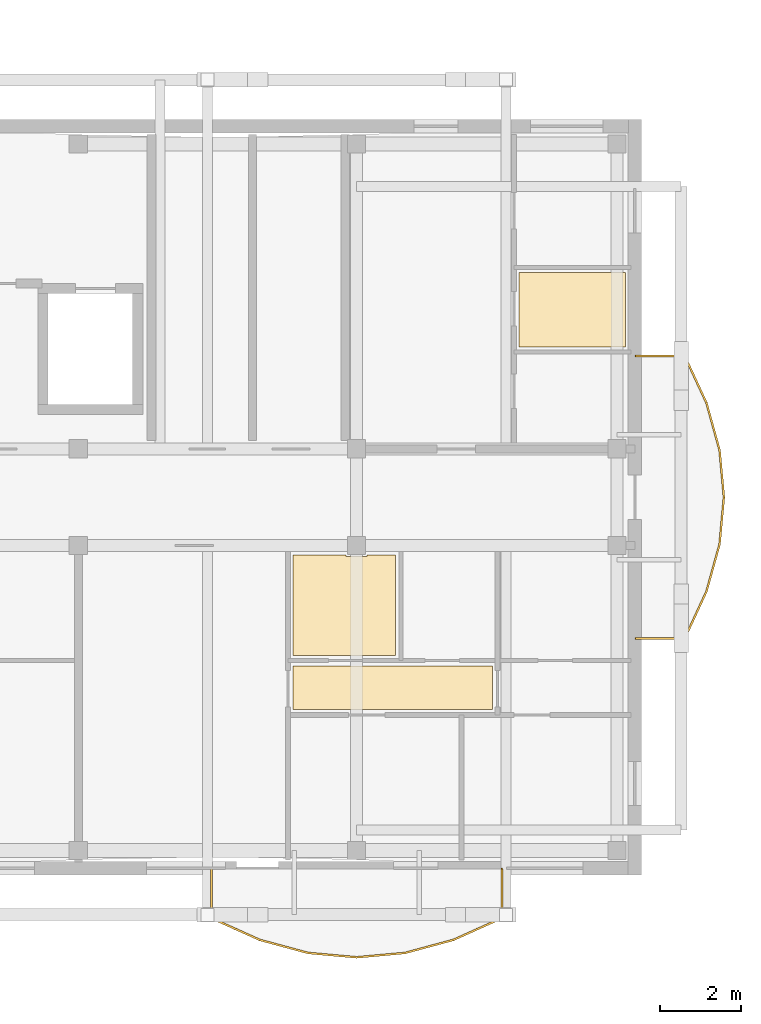
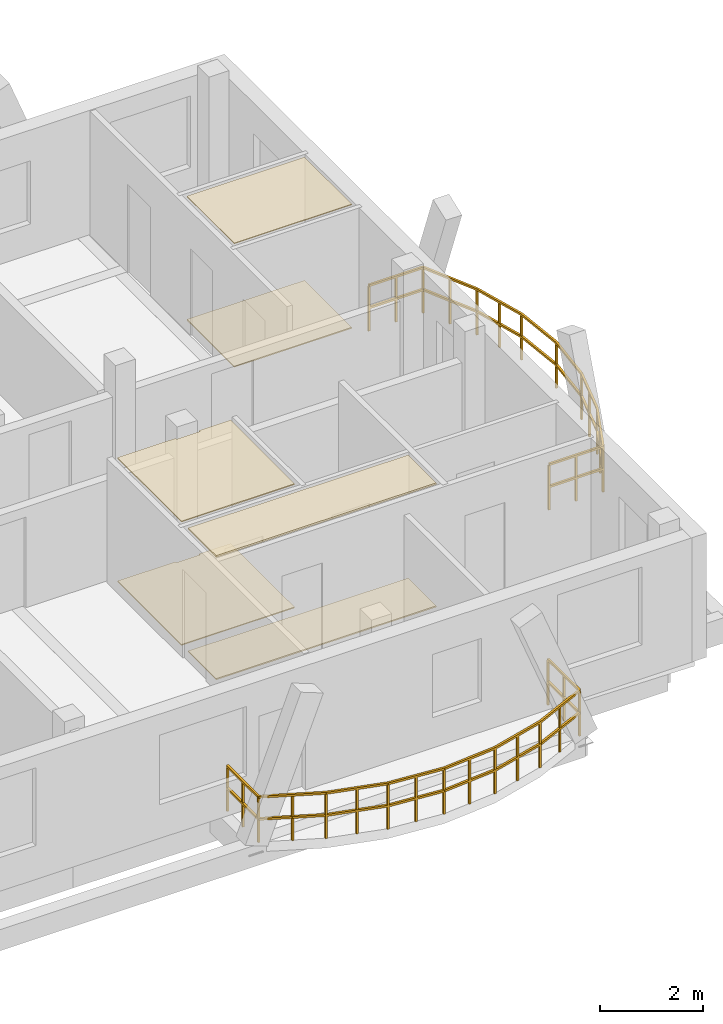
# One storey, part 40 of 42: 6 coverings, 2 railings.
"""IFC4 building model written with IfcOpenShell, lengths in metres."""

from ifc_helpers import new_model, si_unit, direction, frame, origin, origin_2d, place, context, subcontext, project, spatial, polyline, rectangle, outline, extrude, material, layer, layer_set, type_object, element, save


model = new_model("IFC4")

# Units and contexts
model_context = context("Model", 3, precision=1e-05, world=origin(), true_north=direction((0.0, 1.0)))
body_context = subcontext(model_context, "Body", "Model", "MODEL_VIEW")
ifc_project = project(units=[si_unit("LENGTHUNIT", "METRE"), si_unit("AREAUNIT", "SQUARE_METRE"), si_unit("VOLUMEUNIT", "CUBIC_METRE"), si_unit("PLANEANGLEUNIT", "RADIAN"), si_unit("MASSUNIT", "GRAM", prefix="KILO")], contexts=[model_context])

# Site, building, storey
site_placement = place(None, origin())
site = spatial("IfcSite", under=ifc_project, at=site_placement, CompositionType="ELEMENT")
building_placement = place(site_placement, origin())
building = spatial("IfcBuilding", under=site, at=building_placement, Name="Zavelmont Quarter", CompositionType="ELEMENT")
storey_placement = place(building_placement, frame((0.0, 0.0, 24.0)))
storey = spatial("IfcBuildingStorey", under=building, at=storey_placement, Name="L07", CompositionType="ELEMENT", Elevation=24.0)

# Coverings
ifc_material_1 = material(Name="Perforated acoustic gypsum board")
ifc_layer_1 = layer(ifc_material_1, 0.02490234375)
ifc_layer_set_1 = layer_set([ifc_layer_1], Name="Perforated acoustic gypsum board")
covering_type_1 = type_object("IfcCoveringType", Name="CV-CL01", PredefinedType="CEILING", material=ifc_layer_set_1)
covering_1_placement = place(storey_placement, frame((0.0, 0.0, 2.925048828125)))
element("IfcCovering", 1, at=covering_1_placement, inside=storey, type_object=covering_type_1, Name="L07 Kitchen acoustic ceiling", PredefinedType="CEILING", context=body_context, shape_type="SweptSolid", body=[
    extrude(outline(polyline([(159.530029296875, 7.77001953125), (160.8349609375, 7.77001953125), (160.8349609375, 7.735107421875), (161.364990234375, 7.735107421875), (161.364990234375, 7.77001953125), (162.070068359375, 7.77001953125), (162.070068359375, 5.280029296875), (159.530029296875, 5.280029296875), (159.530029296875, 7.77001953125)])), origin(), (0.0, 0.0, 1.0), 0.02490234375),
])
ifc_material_2 = material(Name="Slatted European ash acoustic baffle ceiling")
ifc_layer_2 = layer(ifc_material_2, 0.0400390625)
ifc_layer_set_2 = layer_set([ifc_layer_2], Name="Slatted European ash acoustic baffle ceiling")
covering_type_2 = type_object("IfcCoveringType", Name="CV-CL02", PredefinedType="CEILING", material=ifc_layer_set_2)
covering_2_placement = place(storey_placement, frame((0.0, 0.0, 2.909912109375)))
element("IfcCovering", 2, at=covering_2_placement, inside=storey, type_object=covering_type_2, Name="L07 Apartment Hall acoustic ceiling", PredefinedType="CEILING", context=body_context, shape_type="SweptSolid", body=[
    extrude(outline(polyline([(159.530029296875, 5.02001953125), (164.469970703125, 5.02001953125), (164.469970703125, 3.929931640625), (159.530029296875, 3.929931640625), (159.530029296875, 5.02001953125)])), origin(), (0.0, 0.0, 1.0), 0.0400390625),
])
ifc_material_3 = material(Name="Moisture-resistant painted gypsum ceiling")
ifc_layer_3 = layer(ifc_material_3, 0.02001953125)
ifc_layer_set_3 = layer_set([ifc_layer_3], Name="Moisture-resistant painted gypsum ceiling")
covering_type_3 = type_object("IfcCoveringType", Name="CV-CL04", PredefinedType="CEILING", material=ifc_layer_set_3)
covering_3_placement = place(storey_placement, frame((0.0, 0.0, 2.929931640625)))
element("IfcCovering", 3, at=covering_3_placement, inside=storey, type_object=covering_type_3, Name="L07 Bathroom acoustic ceiling", PredefinedType="CEILING", context=body_context, shape_type="SweptSolid", body=[
    extrude(outline(polyline([(165.1298828125, 14.77001953125), (167.77001953125, 14.77001953125), (167.77001953125, 12.929931640625), (165.1298828125, 12.929931640625), (165.1298828125, 14.77001953125)])), origin(), (0.0, 0.0, 1.0), 0.02001953125),
])
ifc_material_4 = material(Name="Engineered European oak parquet")
ifc_layer_4 = layer(ifc_material_4, 0.02197265625)
ifc_layer_set_4 = layer_set([ifc_layer_4], Name="Engineered European oak parquet")
covering_type_4 = type_object("IfcCoveringType", Name="CV-FL01", PredefinedType="FLOORING", material=ifc_layer_set_4)
covering_4_placement = place(storey_placement, origin())
element("IfcCovering", 4, at=covering_4_placement, inside=storey, type_object=covering_type_4, Name="L07 Kitchen floor finish", PredefinedType="FLOORING", context=body_context, shape_type="SweptSolid", body=[
    extrude(outline(polyline([(159.530029296875, 7.77001953125), (160.8349609375, 7.77001953125), (160.8349609375, 7.735107421875), (161.364990234375, 7.735107421875), (161.364990234375, 7.77001953125), (162.070068359375, 7.77001953125), (162.070068359375, 5.280029296875), (159.530029296875, 5.280029296875), (159.530029296875, 7.77001953125)])), origin(), (0.0, 0.0, 1.0), 0.02197265625),
])
ifc_material_5 = material(Name="Honed Belgian bluestone tile", Category="masonry")
ifc_layer_5 = layer(ifc_material_5, 0.030029296875)
ifc_layer_set_5 = layer_set([ifc_layer_5], Name="Honed Belgian bluestone tile")
covering_type_5 = type_object("IfcCoveringType", Name="CV-FL02", PredefinedType="FLOORING", material=ifc_layer_set_5)
covering_5_placement = place(storey_placement, origin())
element("IfcCovering", 5, at=covering_5_placement, inside=storey, type_object=covering_type_5, Name="L07 Apartment Hall floor finish", PredefinedType="FLOORING", context=body_context, shape_type="SweptSolid", body=[
    extrude(outline(polyline([(159.530029296875, 5.02001953125), (164.469970703125, 5.02001953125), (164.469970703125, 3.929931640625), (159.530029296875, 3.929931640625), (159.530029296875, 5.02001953125)])), origin(), (0.0, 0.0, 1.0), 0.030029296875),
])
ifc_material_6 = material(Name="Slip-resistant porcelain tile")
ifc_layer_6 = layer(ifc_material_6, 0.02587890625)
ifc_layer_set_6 = layer_set([ifc_layer_6], Name="Slip-resistant porcelain tile")
covering_type_6 = type_object("IfcCoveringType", Name="CV-FL04", PredefinedType="FLOORING", material=ifc_layer_set_6)
covering_6_placement = place(storey_placement, origin())
element("IfcCovering", 6, at=covering_6_placement, inside=storey, type_object=covering_type_6, Name="L07 Bathroom floor finish", PredefinedType="FLOORING", context=body_context, shape_type="SweptSolid", body=[
    extrude(outline(polyline([(165.1298828125, 14.77001953125), (167.77001953125, 14.77001953125), (167.77001953125, 12.929931640625), (165.1298828125, 12.929931640625), (165.1298828125, 14.77001953125)])), origin(), (0.0, 0.0, 1.0), 0.02587890625),
])

# Railings
ifc_material_7 = material(Name="Powder-coated steel and tempered double safety glass", Category="steel")
railing_type = type_object("IfcRailingType", Name="RL-BAL1", PredefinedType="BALUSTRADE", material=ifc_material_7)
railing_1_placement = place(storey_placement, frame((157.498779296875, -0.02001953125, 0.0)))
element("IfcRailing", 7, at=railing_1_placement, inside=storey, type_object=railing_type, Name="L07 Block D curved balcony guard RL-BAL1", PredefinedType="BALUSTRADE", context=body_context, shape_type="SweptSolid", body=[
    extrude(rectangle(XDim=0.048095703125, YDim=0.048095703125, at=origin_2d()), frame((0.0, 0.0, 1.076171875), z_axis=(0.0, -1.0, 0.0), x_axis=(1.0, 0.0, 0.0)), (0.0, 0.0, 1.0), 1.217529296875),
    extrude(rectangle(XDim=0.048095703125, YDim=0.048095703125, at=origin_2d()), frame((0.0, 0.0, 0.550048828125), z_axis=(0.0, -1.0, 0.0), x_axis=(1.0, 0.0, 0.0)), (0.0, 0.0, 1.0), 1.217529296875),
    extrude(rectangle(XDim=0.048095703125, YDim=0.048095703125, at=origin_2d()), frame((0.0, -1.217529296875, 1.076171875), z_axis=(0.911897212815, -0.410418656083, 0.0), x_axis=(0.410418656083, 0.911897212815, 0.0)), (0.0, 0.0, 1.0), 1.31640625),
    extrude(rectangle(XDim=0.048095703125, YDim=0.048095703125, at=origin_2d()), frame((0.0, -1.217529296875, 0.550048828125), z_axis=(0.911897212815, -0.410418656083, 0.0), x_axis=(0.410418656083, 0.911897212815, 0.0)), (0.0, 0.0, 1.0), 1.31640625),
    extrude(rectangle(XDim=0.048095703125, YDim=0.048095703125, at=origin_2d()), frame((1.200439453125, -1.7578125, 1.076171875), z_axis=(0.965408821509, -0.260740881628, 0.0), x_axis=(0.260740881628, 0.965408821509, 0.0)), (0.0, 0.0, 1.0), 1.243408203125),
    extrude(rectangle(XDim=0.048095703125, YDim=0.048095703125, at=origin_2d()), frame((1.200439453125, -1.7578125, 0.550048828125), z_axis=(0.965408821509, -0.260740881628, 0.0), x_axis=(0.260740881628, 0.965408821509, 0.0)), (0.0, 0.0, 1.0), 1.243408203125),
    extrude(rectangle(XDim=0.048095703125, YDim=0.048095703125, at=origin_2d()), frame((2.40087890625, -2.08203125, 1.076171875), z_axis=(0.995984017594, -0.089531205161, 0.0), x_axis=(0.089531205161, 0.995984017594, 0.0)), (0.0, 0.0, 1.0), 1.205322265625),
    extrude(rectangle(XDim=0.048095703125, YDim=0.048095703125, at=origin_2d()), frame((2.40087890625, -2.08203125, 0.550048828125), z_axis=(0.995984017594, -0.089531205161, 0.0), x_axis=(0.089531205161, 0.995984017594, 0.0)), (0.0, 0.0, 1.0), 1.205322265625),
    extrude(rectangle(XDim=0.048095703125, YDim=0.048095703125, at=origin_2d()), frame((3.601318359375, -2.18994140625, 1.076171875), z_axis=(0.99598239342, 0.089549271337, 0.0), x_axis=(-0.089549271337, 0.99598239342, 0.0)), (0.0, 0.0, 1.0), 1.205078125),
    extrude(rectangle(XDim=0.048095703125, YDim=0.048095703125, at=origin_2d()), frame((3.601318359375, -2.18994140625, 0.550048828125), z_axis=(0.99598239342, 0.089549271337, 0.0), x_axis=(-0.089549271337, 0.99598239342, 0.0)), (0.0, 0.0, 1.0), 1.205078125),
    extrude(rectangle(XDim=0.048095703125, YDim=0.048095703125, at=origin_2d()), frame((4.801513671875, -2.08203125, 1.076171875), z_axis=(0.965422166118, 0.260691467386, 0.0), x_axis=(-0.260691467386, 0.965422166118, 0.0)), (0.0, 0.0, 1.0), 1.24365234375),
    extrude(rectangle(XDim=0.048095703125, YDim=0.048095703125, at=origin_2d()), frame((4.801513671875, -2.08203125, 0.550048828125), z_axis=(0.965422166118, 0.260691467386, 0.0), x_axis=(-0.260691467386, 0.965422166118, 0.0)), (0.0, 0.0, 1.0), 1.24365234375),
    extrude(rectangle(XDim=0.048095703125, YDim=0.048095703125, at=origin_2d()), frame((6.002197265625, -1.7578125, 1.076171875), z_axis=(0.911897212815, 0.410418656083, 0.0), x_axis=(-0.410418656083, 0.911897212815, 0.0)), (0.0, 0.0, 1.0), 1.31640625),
    extrude(rectangle(XDim=0.048095703125, YDim=0.048095703125, at=origin_2d()), frame((6.002197265625, -1.7578125, 0.550048828125), z_axis=(0.911897212815, 0.410418656083, 0.0), x_axis=(-0.410418656083, 0.911897212815, 0.0)), (0.0, 0.0, 1.0), 1.31640625),
    extrude(rectangle(XDim=0.048095703125, YDim=0.048095703125, at=origin_2d()), frame((7.20263671875, -1.217529296875, 1.076171875), z_axis=(0.0, 1.0, 0.0), x_axis=(-1.0, 0.0, 0.0)), (0.0, 0.0, 1.0), 1.217529296875),
    extrude(rectangle(XDim=0.048095703125, YDim=0.048095703125, at=origin_2d()), frame((7.20263671875, -1.217529296875, 0.550048828125), z_axis=(0.0, 1.0, 0.0), x_axis=(-1.0, 0.0, 0.0)), (0.0, 0.0, 1.0), 1.217529296875),
    extrude(rectangle(XDim=0.0419921875, YDim=0.0419921875, at=origin_2d()), origin(), (0.0, 0.0, 1.0), 1.052001953125),
    extrude(rectangle(XDim=0.0419921875, YDim=0.0419921875, at=origin_2d()), frame((0.0, -0.60888671875, 0.0)), (0.0, 0.0, 1.0), 1.052001953125),
    extrude(rectangle(XDim=0.0419921875, YDim=0.0419921875, at=origin_2d()), frame((0.0, -1.217529296875, 0.0)), (0.0, 0.0, 1.0), 1.052001953125),
    extrude(rectangle(XDim=0.0419921875, YDim=0.0419921875, at=origin_2d()), frame((0.60009765625, -1.48779296875, 0.0)), (0.0, 0.0, 1.0), 1.052001953125),
    extrude(rectangle(XDim=0.0419921875, YDim=0.0419921875, at=origin_2d()), frame((1.200439453125, -1.7578125, 0.0)), (0.0, 0.0, 1.0), 1.052001953125),
    extrude(rectangle(XDim=0.0419921875, YDim=0.0419921875, at=origin_2d()), frame((1.80078125, -1.919921875, 0.0)), (0.0, 0.0, 1.0), 1.052001953125),
    extrude(rectangle(XDim=0.0419921875, YDim=0.0419921875, at=origin_2d()), frame((2.40087890625, -2.08203125, 0.0)), (0.0, 0.0, 1.0), 1.052001953125),
    extrude(rectangle(XDim=0.0419921875, YDim=0.0419921875, at=origin_2d()), frame((3.0009765625, -2.135986328125, 0.0)), (0.0, 0.0, 1.0), 1.052001953125),
    extrude(rectangle(XDim=0.0419921875, YDim=0.0419921875, at=origin_2d()), frame((3.601318359375, -2.18994140625, 0.0)), (0.0, 0.0, 1.0), 1.052001953125),
    extrude(rectangle(XDim=0.0419921875, YDim=0.0419921875, at=origin_2d()), frame((4.201416015625, -2.135986328125, 0.0)), (0.0, 0.0, 1.0), 1.052001953125),
    extrude(rectangle(XDim=0.0419921875, YDim=0.0419921875, at=origin_2d()), frame((4.801513671875, -2.08203125, 0.0)), (0.0, 0.0, 1.0), 1.052001953125),
    extrude(rectangle(XDim=0.0419921875, YDim=0.0419921875, at=origin_2d()), frame((5.40185546875, -1.919921875, 0.0)), (0.0, 0.0, 1.0), 1.052001953125),
    extrude(rectangle(XDim=0.0419921875, YDim=0.0419921875, at=origin_2d()), frame((6.002197265625, -1.7578125, 0.0)), (0.0, 0.0, 1.0), 1.052001953125),
    extrude(rectangle(XDim=0.0419921875, YDim=0.0419921875, at=origin_2d()), frame((6.6025390625, -1.48779296875, 0.0)), (0.0, 0.0, 1.0), 1.052001953125),
    extrude(rectangle(XDim=0.0419921875, YDim=0.0419921875, at=origin_2d()), frame((7.20263671875, -1.217529296875, 0.0)), (0.0, 0.0, 1.0), 1.052001953125),
    extrude(rectangle(XDim=0.0419921875, YDim=0.0419921875, at=origin_2d()), frame((7.20263671875, -0.60888671875, 0.0)), (0.0, 0.0, 1.0), 1.052001953125),
    extrude(rectangle(XDim=0.0419921875, YDim=0.0419921875, at=origin_2d()), frame((7.20263671875, 0.0, 0.0)), (0.0, 0.0, 1.0), 1.052001953125),
])
railing_2_placement = place(storey_placement, frame((168.02001953125, 5.697509765625, 0.0)))
element("IfcRailing", 8, at=railing_2_placement, inside=storey, type_object=railing_type, Name="L07 Block D curved balcony guard RL-BAL1", PredefinedType="BALUSTRADE", context=body_context, shape_type="SweptSolid", body=[
    extrude(rectangle(XDim=0.048095703125, YDim=0.048095703125, at=origin_2d()), frame((0.0, 0.0, 1.076171875), z_axis=(1.0, 0.0, 0.0), x_axis=(0.0, 1.0, 0.0)), (0.0, 0.0, 1.0), 1.217529296875),
    extrude(rectangle(XDim=0.048095703125, YDim=0.048095703125, at=origin_2d()), frame((0.0, 0.0, 0.550048828125), z_axis=(1.0, 0.0, 0.0), x_axis=(0.0, 1.0, 0.0)), (0.0, 0.0, 1.0), 1.217529296875),
    extrude(rectangle(XDim=0.048095703125, YDim=0.048095703125, at=origin_2d()), frame((1.217529296875, 0.0, 1.076171875), z_axis=(0.419984644374, 0.907531210753, 0.0), x_axis=(-0.907531210753, 0.419984644374, 0.0)), (0.0, 0.0, 1.0), 1.286376953125),
    extrude(rectangle(XDim=0.048095703125, YDim=0.048095703125, at=origin_2d()), frame((1.217529296875, 0.0, 0.550048828125), z_axis=(0.419984644374, 0.907531210753, 0.0), x_axis=(-0.907531210753, 0.419984644374, 0.0)), (0.0, 0.0, 1.0), 1.286376953125),
    extrude(rectangle(XDim=0.048095703125, YDim=0.048095703125, at=origin_2d()), frame((1.7578125, 1.16748046875, 1.076171875), z_axis=(0.267581510369, 0.96353522785, 0.0), x_axis=(-0.96353522785, 0.267581510369, 0.0)), (0.0, 0.0, 1.0), 1.211669921875),
    extrude(rectangle(XDim=0.048095703125, YDim=0.048095703125, at=origin_2d()), frame((1.7578125, 1.16748046875, 0.550048828125), z_axis=(0.267581510369, 0.96353522785, 0.0), x_axis=(-0.96353522785, 0.267581510369, 0.0)), (0.0, 0.0, 1.0), 1.211669921875),
    extrude(rectangle(XDim=0.048095703125, YDim=0.048095703125, at=origin_2d()), frame((2.08203125, 2.3349609375, 1.076171875), z_axis=(0.092037629463, 0.995755529617, 0.0), x_axis=(-0.995755529617, 0.092037629463, 0.0)), (0.0, 0.0, 1.0), 1.17236328125),
    extrude(rectangle(XDim=0.048095703125, YDim=0.048095703125, at=origin_2d()), frame((2.08203125, 2.3349609375, 0.550048828125), z_axis=(0.092037629463, 0.995755529617, 0.0), x_axis=(-0.995755529617, 0.092037629463, 0.0)), (0.0, 0.0, 1.0), 1.17236328125),
    extrude(rectangle(XDim=0.048095703125, YDim=0.048095703125, at=origin_2d()), frame((2.18994140625, 3.50244140625, 1.076171875), z_axis=(-0.092037629463, 0.995755529617, 0.0), x_axis=(-0.995755529617, -0.092037629463, 0.0)), (0.0, 0.0, 1.0), 1.17236328125),
    extrude(rectangle(XDim=0.048095703125, YDim=0.048095703125, at=origin_2d()), frame((2.18994140625, 3.50244140625, 0.550048828125), z_axis=(-0.092037629463, 0.995755529617, 0.0), x_axis=(-0.995755529617, -0.092037629463, 0.0)), (0.0, 0.0, 1.0), 1.17236328125),
    extrude(rectangle(XDim=0.048095703125, YDim=0.048095703125, at=origin_2d()), frame((2.08203125, 4.669921875, 1.076171875), z_axis=(-0.267581510369, 0.96353522785, 0.0), x_axis=(-0.96353522785, -0.267581510369, 0.0)), (0.0, 0.0, 1.0), 1.211669921875),
    extrude(rectangle(XDim=0.048095703125, YDim=0.048095703125, at=origin_2d()), frame((2.08203125, 4.669921875, 0.550048828125), z_axis=(-0.267581510369, 0.96353522785, 0.0), x_axis=(-0.96353522785, -0.267581510369, 0.0)), (0.0, 0.0, 1.0), 1.211669921875),
    extrude(rectangle(XDim=0.048095703125, YDim=0.048095703125, at=origin_2d()), frame((1.7578125, 5.83740234375, 1.076171875), z_axis=(-0.419984644374, 0.907531210753, 0.0), x_axis=(-0.907531210753, -0.419984644374, 0.0)), (0.0, 0.0, 1.0), 1.286376953125),
    extrude(rectangle(XDim=0.048095703125, YDim=0.048095703125, at=origin_2d()), frame((1.7578125, 5.83740234375, 0.550048828125), z_axis=(-0.419984644374, 0.907531210753, 0.0), x_axis=(-0.907531210753, -0.419984644374, 0.0)), (0.0, 0.0, 1.0), 1.286376953125),
    extrude(rectangle(XDim=0.048095703125, YDim=0.048095703125, at=origin_2d()), frame((1.217529296875, 7.0048828125, 1.076171875), z_axis=(-1.0, 0.0, 0.0), x_axis=(0.0, -1.0, 0.0)), (0.0, 0.0, 1.0), 1.217529296875),
    extrude(rectangle(XDim=0.048095703125, YDim=0.048095703125, at=origin_2d()), frame((1.217529296875, 7.0048828125, 0.550048828125), z_axis=(-1.0, 0.0, 0.0), x_axis=(0.0, -1.0, 0.0)), (0.0, 0.0, 1.0), 1.217529296875),
    extrude(rectangle(XDim=0.0419921875, YDim=0.0419921875, at=origin_2d()), origin(), (0.0, 0.0, 1.0), 1.052001953125),
    extrude(rectangle(XDim=0.0419921875, YDim=0.0419921875, at=origin_2d()), frame((0.60888671875, 0.0, 0.0)), (0.0, 0.0, 1.0), 1.052001953125),
    extrude(rectangle(XDim=0.0419921875, YDim=0.0419921875, at=origin_2d()), frame((1.217529296875, 0.0, 0.0)), (0.0, 0.0, 1.0), 1.052001953125),
    extrude(rectangle(XDim=0.0419921875, YDim=0.0419921875, at=origin_2d()), frame((1.48779296875, 0.583740234375, 0.0)), (0.0, 0.0, 1.0), 1.052001953125),
    extrude(rectangle(XDim=0.0419921875, YDim=0.0419921875, at=origin_2d()), frame((1.7578125, 1.16748046875, 0.0)), (0.0, 0.0, 1.0), 1.052001953125),
    extrude(rectangle(XDim=0.0419921875, YDim=0.0419921875, at=origin_2d()), frame((1.919921875, 1.751220703125, 0.0)), (0.0, 0.0, 1.0), 1.052001953125),
    extrude(rectangle(XDim=0.0419921875, YDim=0.0419921875, at=origin_2d()), frame((2.08203125, 2.3349609375, 0.0)), (0.0, 0.0, 1.0), 1.052001953125),
    extrude(rectangle(XDim=0.0419921875, YDim=0.0419921875, at=origin_2d()), frame((2.18994140625, 3.50244140625, 0.0)), (0.0, 0.0, 1.0), 1.052001953125),
    extrude(rectangle(XDim=0.0419921875, YDim=0.0419921875, at=origin_2d()), frame((2.08203125, 4.669921875, 0.0)), (0.0, 0.0, 1.0), 1.052001953125),
    extrude(rectangle(XDim=0.0419921875, YDim=0.0419921875, at=origin_2d()), frame((1.919921875, 5.253662109375, 0.0)), (0.0, 0.0, 1.0), 1.052001953125),
    extrude(rectangle(XDim=0.0419921875, YDim=0.0419921875, at=origin_2d()), frame((1.7578125, 5.83740234375, 0.0)), (0.0, 0.0, 1.0), 1.052001953125),
    extrude(rectangle(XDim=0.0419921875, YDim=0.0419921875, at=origin_2d()), frame((1.48779296875, 6.421142578125, 0.0)), (0.0, 0.0, 1.0), 1.052001953125),
    extrude(rectangle(XDim=0.0419921875, YDim=0.0419921875, at=origin_2d()), frame((1.217529296875, 7.0048828125, 0.0)), (0.0, 0.0, 1.0), 1.052001953125),
    extrude(rectangle(XDim=0.0419921875, YDim=0.0419921875, at=origin_2d()), frame((0.60888671875, 7.0048828125, 0.0)), (0.0, 0.0, 1.0), 1.052001953125),
    extrude(rectangle(XDim=0.0419921875, YDim=0.0419921875, at=origin_2d()), frame((0.0, 7.0048828125, 0.0)), (0.0, 0.0, 1.0), 1.052001953125),
])

save(model, "model.ifc")
